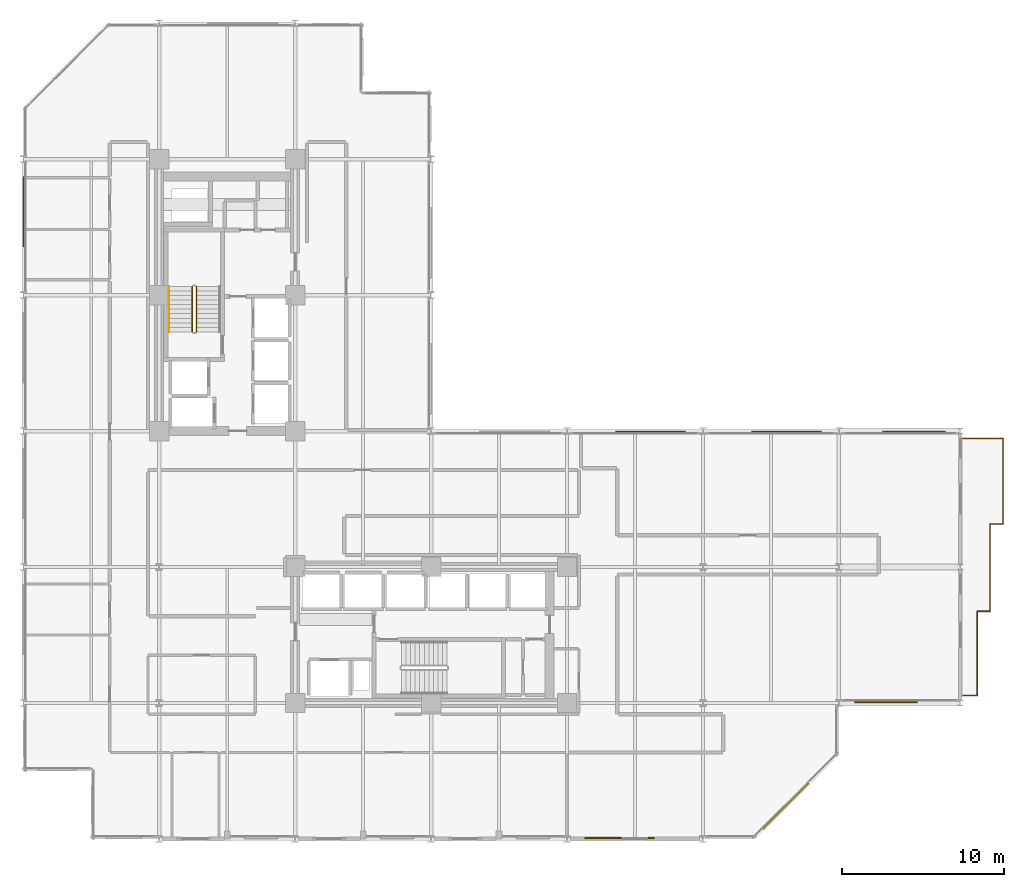
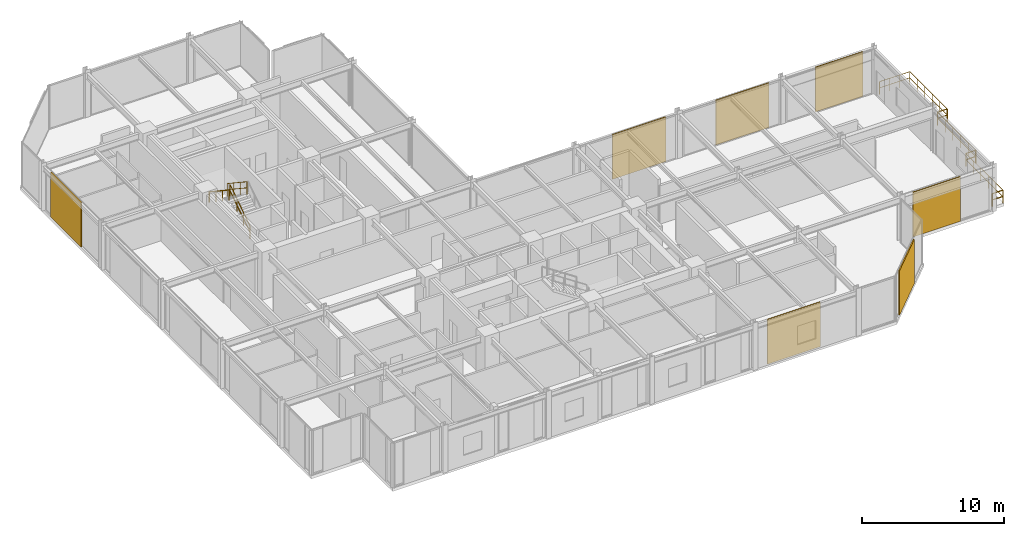
# One storey, part 37 of 38: 10 railings, 7 coverings.
"""IFC4 building model written with IfcOpenShell, lengths in metres."""

from ifc_helpers import new_model, si_unit, direction, frame, origin, origin_2d, place, context, subcontext, project, spatial, rectangle, circle, extrude, material, layer, layer_set, type_object, element, save


model = new_model("IFC4")

# Units and contexts
model_context = context("Model", 3, precision=1e-05, world=origin(), true_north=direction((0.0, 1.0)))
body_context = subcontext(model_context, "Body", "Model", "MODEL_VIEW")
ifc_project = project(units=[si_unit("LENGTHUNIT", "METRE"), si_unit("AREAUNIT", "SQUARE_METRE"), si_unit("VOLUMEUNIT", "CUBIC_METRE"), si_unit("PLANEANGLEUNIT", "RADIAN"), si_unit("MASSUNIT", "GRAM", prefix="KILO")], contexts=[model_context])

# Site, building, storey
site_placement = place(None, origin())
site = spatial("IfcSite", under=ifc_project, at=site_placement, CompositionType="ELEMENT")
building_placement = place(site_placement, origin())
building = spatial("IfcBuilding", under=site, at=building_placement, Name="Nerrivon Quay Data Exchange", CompositionType="ELEMENT")
storey_placement = place(building_placement, frame((0.0, 0.0, 100.800048828125)))
storey = spatial("IfcBuildingStorey", under=building, at=storey_placement, Name="L23", CompositionType="ELEMENT", Elevation=100.800048828125)

# Coverings
ifc_material_1 = material(Name="Architectural terracotta ceramic", Category="masonry")
ifc_layer = layer(ifc_material_1, 0.090087890625)
ifc_layer_set = layer_set([ifc_layer], Name="Architectural terracotta ceramic")
covering_type = type_object("IfcCoveringType", Name="COV-SCR-TERR", PredefinedType="CLADDING", material=ifc_layer_set)
covering_1_placement = place(storey_placement, frame((53.31494140625, 8.445068359375, 0.0), z_axis=(0.0, 0.0, 1.0), x_axis=(-1.0, 0.0, 0.0)))
element("IfcCovering", 1, at=covering_1_placement, inside=storey, type_object=covering_type, Name="L23 Perforated Terracotta SOLAR SCREEN Cassette", PredefinedType="CLADDING", context=body_context, shape_type="SweptSolid", body=[
    extrude(rectangle(XDim=3.85791015625, YDim=0.090087890625, at=origin_2d()), origin(), (0.0, 0.0, 1.0), 3.824951171875),
])
covering_2_placement = place(storey_placement, frame((47.144287109375, 2.0078125, 0.0), z_axis=(0.0, 0.0, 1.0), x_axis=(-0.707106781187, -0.707106781187, 0.0)))
element("IfcCovering", 2, at=covering_2_placement, inside=storey, type_object=covering_type, Name="L23 Perforated Terracotta SOLAR SCREEN Cassette", PredefinedType="CLADDING", context=body_context, shape_type="SweptSolid", body=[
    extrude(rectangle(XDim=3.970947265625, YDim=0.090087890625, at=origin_2d()), origin(), (0.0, 0.0, 1.0), 3.824951171875),
])
for number, where, z_axis, x_axis, name in (
    (3, (36.840087890625, 0.044921875, 0.0), (0.0, 0.0, 1.0), (-1.0, 0.0, 0.0), "L23 Perforated Terracotta SOLAR SCREEN Cassette"),
    (4, (0.044921875, 38.760009765625, 0.0), (0.0, 0.0, 1.0), (0.0, 1.0, 0.0), "L23 Perforated Terracotta SOLAR SCREEN Cassette"),
    (5, (38.760009765625, 25.155029296875, 0.0), (0.0, 0.0, 1.0), (1.0, 0.0, 0.0), "L23 Perforated Terracotta SOLAR SCREEN Cassette"),
    (6, (47.159912109375, 25.155029296875, 0.0), (0.0, 0.0, 1.0), (1.0, 0.0, 0.0), "L23 Perforated Terracotta SOLAR SCREEN Cassette"),
):
    element("IfcCovering", number, at=place(storey_placement, frame(where, z_axis=z_axis, x_axis=x_axis)), inside=storey, type_object=covering_type, Name=name, PredefinedType="CLADDING", context=body_context, shape_type="SweptSolid", body=[
        extrude(rectangle(XDim=4.320068359375, YDim=0.090087890625, at=origin_2d()), origin(), (0.0, 0.0, 1.0), 3.824951171875),
    ])
covering_3_placement = place(storey_placement, frame((55.029541015625, 25.155029296875, 0.0), z_axis=(0.0, 0.0, 1.0), x_axis=(1.0, 0.0, 0.0)))
element("IfcCovering", 7, at=covering_3_placement, inside=storey, type_object=covering_type, Name="L23 Perforated Terracotta SOLAR SCREEN Cassette", PredefinedType="CLADDING", context=body_context, shape_type="SweptSolid", body=[
    extrude(rectangle(XDim=3.85791015625, YDim=0.090087890625, at=origin_2d()), origin(), (0.0, 0.0, 1.0), 3.824951171875),
])

# Railings
ifc_material_2 = material(Name="Steel Grade C350L0 (350 MPa)", Category="steel")
railing_type_1 = type_object("IfcRailingType", Name="RAIL-GUARD-GR2", PredefinedType="BALUSTRADE", material=ifc_material_2)
railing_1_placement = place(storey_placement, frame((58.93994140625, 14.06005859375, 0.0)))
element("IfcRailing", 8, at=railing_1_placement, inside=storey, type_object=railing_type_1, Name="L23 Verandah Balcony Guard 1.1 1", PredefinedType="BALUSTRADE", context=body_context, shape_type="SweptSolid", body=[
    extrude(circle(Radius=0.02392578125, at=origin_2d()), frame((0.0, 0.0, 1.09619140625), z_axis=(0.0, -1.0, 0.0), x_axis=(1.0, 0.0, 0.0)), (0.0, 0.0, 1.0), 5.199951171875),
    extrude(circle(Radius=0.02392578125, at=origin_2d()), frame((0.0, 0.0, 0.56005859375), z_axis=(0.0, -1.0, 0.0), x_axis=(1.0, 0.0, 0.0)), (0.0, 0.0, 1.0), 5.199951171875),
    extrude(circle(Radius=0.02099609375, at=origin_2d()), origin(), (0.0, 0.0, 1.0), 1.072021484375),
    extrude(circle(Radius=0.02099609375, at=origin_2d()), frame((0.0, -1.0400390625, 0.0)), (0.0, 0.0, 1.0), 1.072021484375),
    extrude(circle(Radius=0.02099609375, at=origin_2d()), frame((0.0, -2.080078125, 0.0)), (0.0, 0.0, 1.0), 1.072021484375),
    extrude(circle(Radius=0.02099609375, at=origin_2d()), frame((0.0, -3.119873046875, 0.0)), (0.0, 0.0, 1.0), 1.072021484375),
    extrude(circle(Radius=0.02099609375, at=origin_2d()), frame((0.0, -4.159912109375, 0.0)), (0.0, 0.0, 1.0), 1.072021484375),
    extrude(circle(Radius=0.02099609375, at=origin_2d()), frame((0.0, -5.199951171875, 0.0)), (0.0, 0.0, 1.0), 1.072021484375),
])
railing_2_placement = place(storey_placement, frame((58.93994140625, 8.860107421875, 0.0)))
element("IfcRailing", 9, at=railing_2_placement, inside=storey, type_object=railing_type_1, Name="L23 Verandah Balcony Guard 1.2 1", PredefinedType="BALUSTRADE", context=body_context, shape_type="SweptSolid", body=[
    extrude(circle(Radius=0.02392578125, at=origin_2d()), frame((0.0, 0.0, 1.09619140625), z_axis=(-1.0, 0.0, 0.0), x_axis=(0.0, -1.0, 0.0)), (0.0, 0.0, 1.0), 0.85986328125),
    extrude(circle(Radius=0.02392578125, at=origin_2d()), frame((0.0, 0.0, 0.56005859375), z_axis=(-1.0, 0.0, 0.0), x_axis=(0.0, -1.0, 0.0)), (0.0, 0.0, 1.0), 0.85986328125),
    extrude(circle(Radius=0.02099609375, at=origin_2d()), origin(), (0.0, 0.0, 1.0), 1.072021484375),
    extrude(circle(Radius=0.02099609375, at=origin_2d()), frame((-0.85986328125, 0.0, 0.0)), (0.0, 0.0, 1.0), 1.072021484375),
])
railing_3_placement = place(storey_placement, frame((58.080078125, 24.739990234375, 0.0)))
element("IfcRailing", 10, at=railing_3_placement, inside=storey, type_object=railing_type_1, Name="L23 Verandah Balcony Guard 1.3 1", PredefinedType="BALUSTRADE", context=body_context, shape_type="SweptSolid", body=[
    extrude(circle(Radius=0.02392578125, at=origin_2d()), frame((0.0, 0.0, 1.09619140625), z_axis=(1.0, 0.0, 0.0), x_axis=(0.0, 1.0, 0.0)), (0.0, 0.0, 1.0), 2.4599609375),
    extrude(circle(Radius=0.02392578125, at=origin_2d()), frame((0.0, 0.0, 0.56005859375), z_axis=(1.0, 0.0, 0.0), x_axis=(0.0, 1.0, 0.0)), (0.0, 0.0, 1.0), 2.4599609375),
    extrude(circle(Radius=0.02099609375, at=origin_2d()), origin(), (0.0, 0.0, 1.0), 1.072021484375),
    extrude(circle(Radius=0.02099609375, at=origin_2d()), frame((0.820068359375, 0.0, 0.0)), (0.0, 0.0, 1.0), 1.072021484375),
    extrude(circle(Radius=0.02099609375, at=origin_2d()), frame((1.639892578125, 0.0, 0.0)), (0.0, 0.0, 1.0), 1.072021484375),
    extrude(circle(Radius=0.02099609375, at=origin_2d()), frame((2.4599609375, 0.0, 0.0)), (0.0, 0.0, 1.0), 1.072021484375),
])
railing_4_placement = place(storey_placement, frame((60.5400390625, 24.739990234375, 0.0)))
element("IfcRailing", 11, at=railing_4_placement, inside=storey, type_object=railing_type_1, Name="L23 Verandah Balcony Guard 1.4 1", PredefinedType="BALUSTRADE", context=body_context, shape_type="SweptSolid", body=[
    extrude(circle(Radius=0.02392578125, at=origin_2d()), frame((0.0, 0.0, 1.09619140625), z_axis=(0.0, -1.0, 0.0), x_axis=(1.0, 0.0, 0.0)), (0.0, 0.0, 1.0), 5.280029296875),
    extrude(circle(Radius=0.02392578125, at=origin_2d()), frame((0.0, 0.0, 0.56005859375), z_axis=(0.0, -1.0, 0.0), x_axis=(1.0, 0.0, 0.0)), (0.0, 0.0, 1.0), 5.280029296875),
    extrude(circle(Radius=0.02099609375, at=origin_2d()), origin(), (0.0, 0.0, 1.0), 1.072021484375),
    extrude(circle(Radius=0.02099609375, at=origin_2d()), frame((0.0, -1.055908203125, 0.0)), (0.0, 0.0, 1.0), 1.072021484375),
    extrude(circle(Radius=0.02099609375, at=origin_2d()), frame((0.0, -2.112060546875, 0.0)), (0.0, 0.0, 1.0), 1.072021484375),
    extrude(circle(Radius=0.02099609375, at=origin_2d()), frame((0.0, -3.16796875, 0.0)), (0.0, 0.0, 1.0), 1.072021484375),
    extrude(circle(Radius=0.02099609375, at=origin_2d()), frame((0.0, -4.22412109375, 0.0)), (0.0, 0.0, 1.0), 1.072021484375),
    extrude(circle(Radius=0.02099609375, at=origin_2d()), frame((0.0, -5.280029296875, 0.0)), (0.0, 0.0, 1.0), 1.072021484375),
])
railing_5_placement = place(storey_placement, frame((60.5400390625, 19.4599609375, 0.0)))
element("IfcRailing", 12, at=railing_5_placement, inside=storey, type_object=railing_type_1, Name="L23 Verandah Balcony Guard 1.5 1", PredefinedType="BALUSTRADE", context=body_context, shape_type="SweptSolid", body=[
    extrude(circle(Radius=0.02392578125, at=origin_2d()), frame((0.0, 0.0, 1.09619140625), z_axis=(-1.0, 0.0, 0.0), x_axis=(0.0, -1.0, 0.0)), (0.0, 0.0, 1.0), 0.800048828125),
    extrude(circle(Radius=0.02392578125, at=origin_2d()), frame((0.0, 0.0, 0.56005859375), z_axis=(-1.0, 0.0, 0.0), x_axis=(0.0, -1.0, 0.0)), (0.0, 0.0, 1.0), 0.800048828125),
    extrude(circle(Radius=0.02099609375, at=origin_2d()), origin(), (0.0, 0.0, 1.0), 1.072021484375),
    extrude(circle(Radius=0.02099609375, at=origin_2d()), frame((-0.800048828125, 0.0, 0.0)), (0.0, 0.0, 1.0), 1.072021484375),
])
railing_6_placement = place(storey_placement, frame((59.739990234375, 19.4599609375, 0.0)))
element("IfcRailing", 13, at=railing_6_placement, inside=storey, type_object=railing_type_1, Name="L23 Verandah Balcony Guard 1.6 1", PredefinedType="BALUSTRADE", context=body_context, shape_type="SweptSolid", body=[
    extrude(circle(Radius=0.02392578125, at=origin_2d()), frame((0.0, 0.0, 1.09619140625), z_axis=(0.0, -1.0, 0.0), x_axis=(1.0, 0.0, 0.0)), (0.0, 0.0, 1.0), 5.39990234375),
    extrude(circle(Radius=0.02392578125, at=origin_2d()), frame((0.0, 0.0, 0.56005859375), z_axis=(0.0, -1.0, 0.0), x_axis=(1.0, 0.0, 0.0)), (0.0, 0.0, 1.0), 5.39990234375),
    extrude(circle(Radius=0.02099609375, at=origin_2d()), origin(), (0.0, 0.0, 1.0), 1.072021484375),
    extrude(circle(Radius=0.02099609375, at=origin_2d()), frame((0.0, -1.080078125, 0.0)), (0.0, 0.0, 1.0), 1.072021484375),
    extrude(circle(Radius=0.02099609375, at=origin_2d()), frame((0.0, -2.159912109375, 0.0)), (0.0, 0.0, 1.0), 1.072021484375),
    extrude(circle(Radius=0.02099609375, at=origin_2d()), frame((0.0, -3.239990234375, 0.0)), (0.0, 0.0, 1.0), 1.072021484375),
    extrude(circle(Radius=0.02099609375, at=origin_2d()), frame((0.0, -4.31982421875, 0.0)), (0.0, 0.0, 1.0), 1.072021484375),
    extrude(circle(Radius=0.02099609375, at=origin_2d()), frame((0.0, -5.39990234375, 0.0)), (0.0, 0.0, 1.0), 1.072021484375),
])
railing_7_placement = place(storey_placement, frame((59.739990234375, 14.06005859375, 0.0)))
element("IfcRailing", 14, at=railing_7_placement, inside=storey, type_object=railing_type_1, Name="L23 Verandah Balcony Guard 1.7 1", PredefinedType="BALUSTRADE", context=body_context, shape_type="SweptSolid", body=[
    extrude(circle(Radius=0.02392578125, at=origin_2d()), frame((0.0, 0.0, 1.09619140625), z_axis=(-1.0, 0.0, 0.0), x_axis=(0.0, -1.0, 0.0)), (0.0, 0.0, 1.0), 0.800048828125),
    extrude(circle(Radius=0.02392578125, at=origin_2d()), frame((0.0, 0.0, 0.56005859375), z_axis=(-1.0, 0.0, 0.0), x_axis=(0.0, -1.0, 0.0)), (0.0, 0.0, 1.0), 0.800048828125),
    extrude(circle(Radius=0.02099609375, at=origin_2d()), origin(), (0.0, 0.0, 1.0), 1.072021484375),
    extrude(circle(Radius=0.02099609375, at=origin_2d()), frame((-0.800048828125, 0.0, 0.0)), (0.0, 0.0, 1.0), 1.072021484375),
])
railing_type_2 = type_object("IfcRailingType", Name="RAIL-HAND-HR1", PredefinedType="HANDRAIL", material=ifc_material_2)
railing_8_placement = place(storey_placement, frame((9.0, 34.1298828125, 2.236328125)))
element("IfcRailing", 15, at=railing_8_placement, inside=storey, type_object=railing_type_2, Name="L23 ST01 stair handrail 2", PredefinedType="HANDRAIL", context=body_context, shape_type="SweptSolid", body=[
    extrude(circle(Radius=0.02392578125, at=origin_2d()), frame((0.0, 0.0, 0.8759765625), z_axis=(0.0, -0.832463268671, 0.554080234545), x_axis=(1.0, 0.0, 0.0)), (0.0, 0.0, 1.0), 3.36328125),
    extrude(circle(Radius=0.02099609375, at=origin_2d()), origin(), (0.0, 0.0, 1.0), 0.851806640625),
    extrude(circle(Radius=0.02099609375, at=origin_2d()), frame((0.0, -0.933349609375, 0.62109375)), (0.0, 0.0, 1.0), 0.851806640625),
    extrude(circle(Radius=0.02099609375, at=origin_2d()), frame((0.0, -1.866455078125, 1.242431640625)), (0.0, 0.0, 1.0), 0.851806640625),
    extrude(circle(Radius=0.02099609375, at=origin_2d()), frame((0.0, -2.7998046875, 1.863525390625)), (0.0, 0.0, 1.0), 0.851806640625),
])
railing_type_3 = type_object("IfcRailingType", Name="RAIL-STAIR-GR1", PredefinedType="BALUSTRADE", material=ifc_material_2)
railing_9_placement = place(storey_placement, frame((10.699951171875, 31.330078125, 0.186279296875)))
element("IfcRailing", 16, at=railing_9_placement, inside=storey, type_object=railing_type_3, Name="L23 ST01 stair guard 1", PredefinedType="BALUSTRADE", context=body_context, shape_type="SweptSolid", body=[
    extrude(circle(Radius=0.02392578125, at=origin_2d()), frame((0.0, 0.0, 1.076171875), z_axis=(0.0, 0.832429786209, 0.554130536094), x_axis=(-1.0, 0.0, 0.0)), (0.0, 0.0, 1.0), 3.363525390625),
    extrude(circle(Radius=0.02392578125, at=origin_2d()), frame((0.0, 0.0, 0.550048828125), z_axis=(0.0, 0.832429786209, 0.554130536094), x_axis=(-1.0, 0.0, 0.0)), (0.0, 0.0, 1.0), 3.363525390625),
    extrude(circle(Radius=0.02099609375, at=origin_2d()), origin(), (0.0, 0.0, 1.0), 1.052001953125),
    extrude(circle(Radius=0.02099609375, at=origin_2d()), frame((0.0, 0.933349609375, 0.621337890625)), (0.0, 0.0, 1.0), 1.052001953125),
    extrude(circle(Radius=0.02099609375, at=origin_2d()), frame((0.0, 1.866455078125, 1.242431640625)), (0.0, 0.0, 1.0), 1.052001953125),
    extrude(circle(Radius=0.02099609375, at=origin_2d()), frame((0.0, 2.7998046875, 1.86376953125)), (0.0, 0.0, 1.0), 1.052001953125),
])
railing_10_placement = place(storey_placement, frame((10.449951171875, 34.1298828125, 2.236328125)))
element("IfcRailing", 17, at=railing_10_placement, inside=storey, type_object=railing_type_3, Name="L23 ST01 stair guard 3", PredefinedType="BALUSTRADE", context=body_context, shape_type="SweptSolid", body=[
    extrude(circle(Radius=0.02392578125, at=origin_2d()), frame((0.0, 0.0, 1.076171875), z_axis=(0.0, -0.832463268671, 0.554080234545), x_axis=(1.0, 0.0, 0.0)), (0.0, 0.0, 1.0), 3.36328125),
    extrude(circle(Radius=0.02392578125, at=origin_2d()), frame((0.0, 0.0, 0.550048828125), z_axis=(0.0, -0.832463268671, 0.554080234545), x_axis=(1.0, 0.0, 0.0)), (0.0, 0.0, 1.0), 3.36328125),
    extrude(circle(Radius=0.02099609375, at=origin_2d()), origin(), (0.0, 0.0, 1.0), 1.052001953125),
    extrude(circle(Radius=0.02099609375, at=origin_2d()), frame((0.0, -0.933349609375, 0.62109375)), (0.0, 0.0, 1.0), 1.052001953125),
    extrude(circle(Radius=0.02099609375, at=origin_2d()), frame((0.0, -1.866455078125, 1.242431640625)), (0.0, 0.0, 1.0), 1.052001953125),
    extrude(circle(Radius=0.02099609375, at=origin_2d()), frame((0.0, -2.7998046875, 1.863525390625)), (0.0, 0.0, 1.0), 1.052001953125),
])

save(model, "model.ifc")
